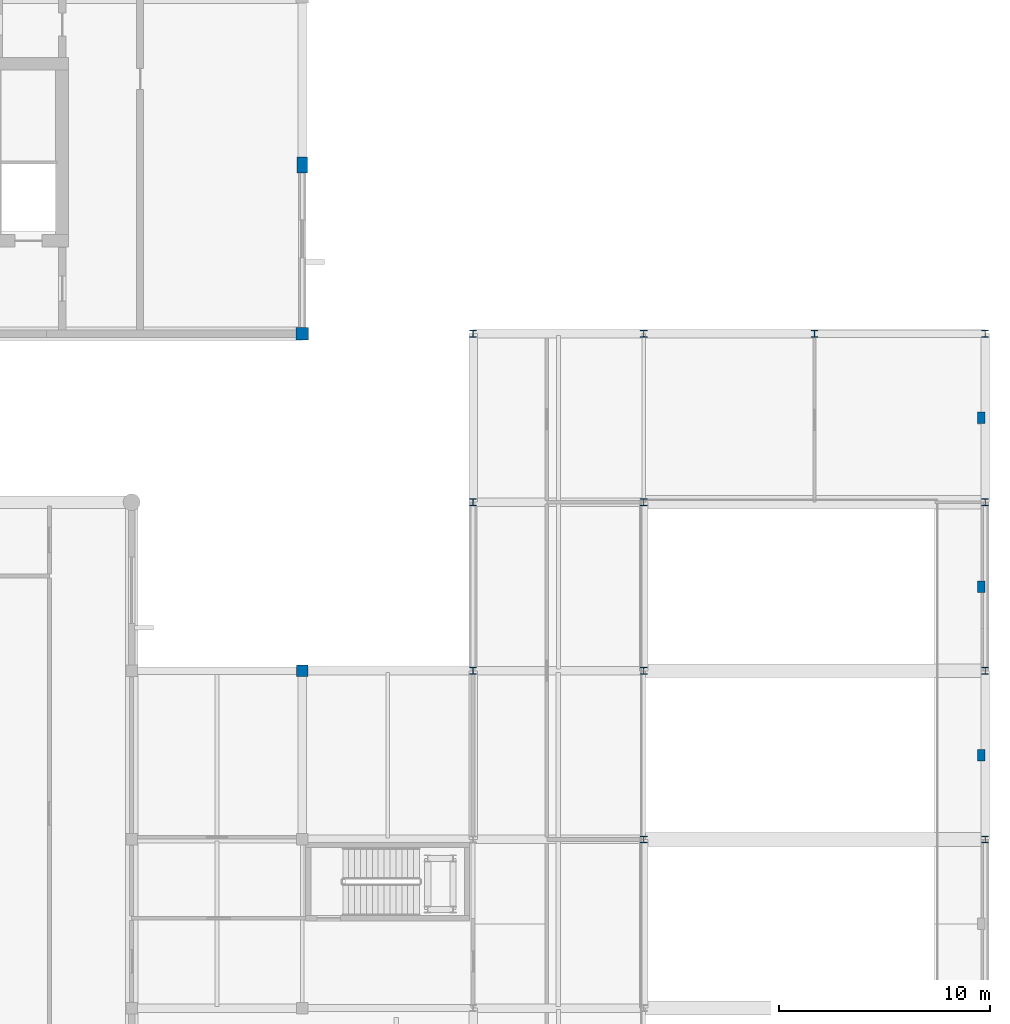
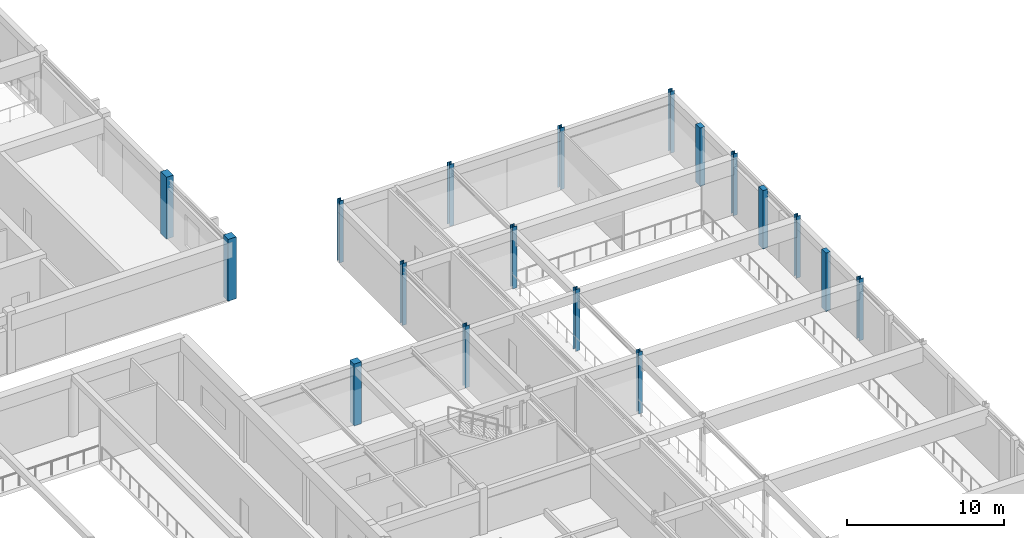
# One storey, part 3 of 61: 18 columns.
"""IFC4 building model written with IfcOpenShell, lengths in metres."""

from ifc_helpers import new_model, si_unit, direction, frame, origin, origin_2d, place, context, subcontext, project, spatial, rectangle, i_section, extrude, material, material_profile, profile_set, type_object, element, save


model = new_model("IFC4")

# Units and contexts
model_context = context("Model", 3, precision=1e-05, world=origin(), true_north=direction((0.0, 1.0)))
body_context = subcontext(model_context, "Body", "Model", "MODEL_VIEW")
ifc_project = project(units=[si_unit("LENGTHUNIT", "METRE"), si_unit("AREAUNIT", "SQUARE_METRE"), si_unit("VOLUMEUNIT", "CUBIC_METRE"), si_unit("PLANEANGLEUNIT", "RADIAN"), si_unit("MASSUNIT", "GRAM", prefix="KILO")], contexts=[model_context])

# Site, building, storey
site_placement = place(None, origin())
site = spatial("IfcSite", under=ifc_project, at=site_placement, CompositionType="ELEMENT")
building_placement = place(site_placement, origin())
building = spatial("IfcBuilding", under=site, at=building_placement, Name="Tarnveldt Square Police Headquarters", CompositionType="ELEMENT")
storey_placement = place(building_placement, frame((0.0, 0.0, 5.39990234375)))
storey = spatial("IfcBuildingStorey", under=building, at=storey_placement, Name="L01", CompositionType="ELEMENT", Elevation=5.39990234375)

# Columns
ifc_material_1 = material(Name="Precast concrete 35 MPa", Category="concrete")
ifc_material_profile_1 = material_profile(ifc_material_1, rectangle(XDim=0.35009765625, YDim=0.550048828125, at=origin_2d()), Name="RC-PIL350x550")
ifc_profile_set_1 = profile_set([ifc_material_profile_1], Name="Precast concrete 35 MPa")
column_type_1 = type_object("IfcColumnType", Name="COL-PIL350x550", PredefinedType="PILASTER", material=ifc_profile_set_1)
for number, where, z_axis, x_axis, name in (
    (1, (161.820068359375, 36.0, 0.0), (0.0, 0.0, 1.0), (1.0, 0.0, 0.0), "L01 Engaged Brutalist Pilaster 5"),
    (2, (161.820068359375, 44.0, 0.0), (0.0, 0.0, 1.0), (1.0, 0.0, 0.0), "L01 Engaged Brutalist Pilaster 6"),
    (3, (161.820068359375, 52.0, 0.0), (0.0, 0.0, 1.0), (1.0, 0.0, 0.0), "L01 Engaged Brutalist Pilaster 7"),
):
    element("IfcColumn", number, at=place(storey_placement, frame(where, z_axis=z_axis, x_axis=x_axis)), inside=storey, type_object=column_type_1, Name=name, PredefinedType="PILASTER", context=body_context, shape_type="SweptSolid", body=[
        extrude(rectangle(XDim=0.35009765625, YDim=0.550048828125, at=origin_2d()), origin(), (0.0, 0.0, 1.0), 4.52001953125),
    ])
ifc_material_2 = material(Name="Concrete 40 MPa", Category="concrete")
ifc_material_profile_2 = material_profile(ifc_material_2, rectangle(XDim=0.5, YDim=0.75, at=origin_2d()), Name="RC-C500x750")
ifc_profile_set_2 = profile_set([ifc_material_profile_2], Name="Concrete 40 MPa")
column_type_2 = type_object("IfcColumnType", Name="COL-RC500x750", PredefinedType="COLUMN", material=ifc_profile_set_2)
column_1_placement = place(storey_placement, frame((129.60009765625, 64.0, 0.0), z_axis=(0.0, 0.0, 1.0), x_axis=(1.0, 0.0, 0.0)))
element("IfcColumn", 4, at=column_1_placement, inside=storey, type_object=column_type_2, Name="L01 Column 173", PredefinedType="COLUMN", context=body_context, shape_type="SweptSolid", body=[
    extrude(rectangle(XDim=0.5, YDim=0.75, at=origin_2d()), origin(), (0.0, 0.0, 1.0), 4.800048828125),
])
ifc_material_profile_3 = material_profile(ifc_material_2, rectangle(XDim=0.550048828125, YDim=0.550048828125, at=origin_2d()), Name="RC-C550x550")
ifc_profile_set_3 = profile_set([ifc_material_profile_3], Name="Concrete 40 MPa")
column_type_3 = type_object("IfcColumnType", Name="COL-RC550", PredefinedType="COLUMN", material=ifc_profile_set_3)
column_2_placement = place(storey_placement, frame((129.60009765625, 40.0, 0.0), z_axis=(0.0, 0.0, 1.0), x_axis=(1.0, 0.0, 0.0)))
element("IfcColumn", 5, at=column_2_placement, inside=storey, type_object=column_type_3, Name="L01 Column 171", PredefinedType="COLUMN", context=body_context, shape_type="SweptSolid", body=[
    extrude(rectangle(XDim=0.550048828125, YDim=0.550048828125, at=origin_2d()), origin(), (0.0, 0.0, 1.0), 4.800048828125),
])
ifc_material_profile_4 = material_profile(ifc_material_2, rectangle(XDim=0.60009765625, YDim=0.60009765625, at=origin_2d()), Name="RC-C600x600")
ifc_profile_set_4 = profile_set([ifc_material_profile_4], Name="Concrete 40 MPa")
column_type_4 = type_object("IfcColumnType", Name="COL-RC600", PredefinedType="COLUMN", material=ifc_profile_set_4)
column_3_placement = place(storey_placement, frame((129.60009765625, 56.0, 0.0), z_axis=(0.0, 0.0, 1.0), x_axis=(1.0, 0.0, 0.0)))
element("IfcColumn", 6, at=column_3_placement, inside=storey, type_object=column_type_4, Name="L01 Column 172", PredefinedType="COLUMN", context=body_context, shape_type="SweptSolid", body=[
    extrude(rectangle(XDim=0.60009765625, YDim=0.60009765625, at=origin_2d()), origin(), (0.0, 0.0, 1.0), 4.800048828125),
])
ifc_material_3 = material(Name="Steel 350W", Category="steel")
ifc_material_profile_5 = material_profile(ifc_material_3, i_section(OverallWidth=0.30908203125, OverallDepth=0.322998046875, WebThickness=0.013916015625, FlangeThickness=0.02294921875, FilletRadius=0.014892578125, at=origin_2d()), Name="W310x143")
ifc_profile_set_5 = profile_set([ifc_material_profile_5], Name="Steel 350W")
column_type_5 = type_object("IfcColumnType", Name="COL-W310x143", PredefinedType="COLUMN", material=ifc_profile_set_5)
for number, where, z_axis, x_axis, name in (
    (7, (137.699951171875, 40.0, 0.0), (0.0, 0.0, 1.0), (1.0, 0.0, 0.0), "L01 Column 190"),
    (8, (137.699951171875, 48.0, 0.0), (0.0, 0.0, 1.0), (1.0, 0.0, 0.0), "L01 Column 191"),
    (9, (137.699951171875, 56.0, 0.0), (0.0, 0.0, 1.0), (1.0, 0.0, 0.0), "L01 Column 192"),
    (10, (145.800048828125, 32.0, 0.0), (0.0, 0.0, 1.0), (1.0, 0.0, 0.0), "L01 Column 197"),
    (11, (145.800048828125, 40.0, 0.0), (0.0, 0.0, 1.0), (1.0, 0.0, 0.0), "L01 Column 198"),
    (12, (145.800048828125, 48.0, 0.0), (0.0, 0.0, 1.0), (1.0, 0.0, 0.0), "L01 Column 199"),
    (13, (145.800048828125, 56.0, 0.0), (0.0, 0.0, 1.0), (1.0, 0.0, 0.0), "L01 Column 200"),
    (14, (153.89990234375, 56.0, 0.0), (0.0, 0.0, 1.0), (1.0, 0.0, 0.0), "L01 Column 202"),
    (15, (162.0, 32.0, 0.0), (0.0, 0.0, 1.0), (1.0, 0.0, 0.0), "L01 Column 207"),
    (16, (162.0, 40.0, 0.0), (0.0, 0.0, 1.0), (1.0, 0.0, 0.0), "L01 Column 208"),
    (17, (162.0, 48.0, 0.0), (0.0, 0.0, 1.0), (1.0, 0.0, 0.0), "L01 Column 209"),
    (18, (162.0, 56.0, 0.0), (0.0, 0.0, 1.0), (1.0, 0.0, 0.0), "L01 Column 210"),
):
    element("IfcColumn", number, at=place(storey_placement, frame(where, z_axis=z_axis, x_axis=x_axis)), inside=storey, type_object=column_type_5, Name=name, PredefinedType="COLUMN", context=body_context, shape_type="SweptSolid", body=[
        extrude(i_section(OverallWidth=0.30908203125, OverallDepth=0.322998046875, WebThickness=0.013916015625, FlangeThickness=0.02294921875, FilletRadius=0.014892578125, at=origin_2d()), origin(), (0.0, 0.0, 1.0), 4.800048828125),
    ])

save(model, "model.ifc")
